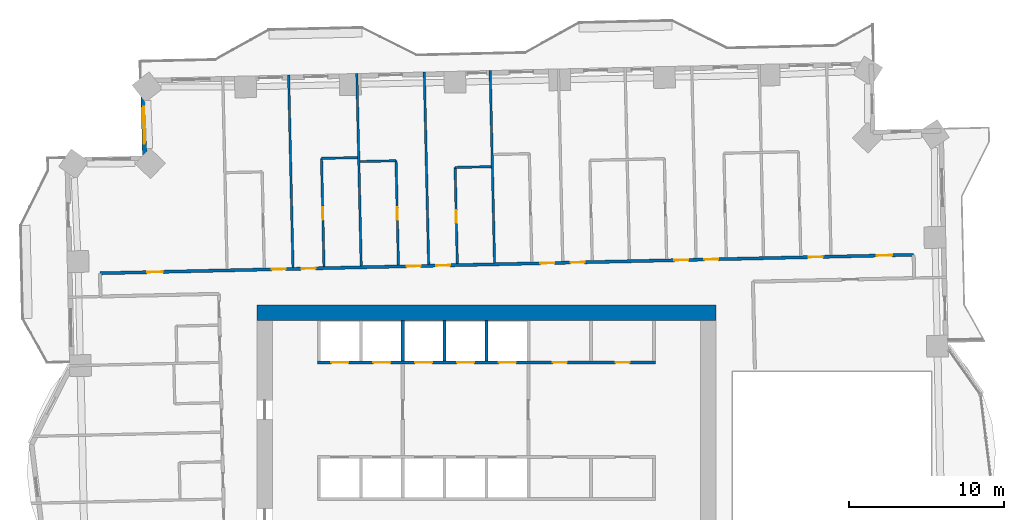
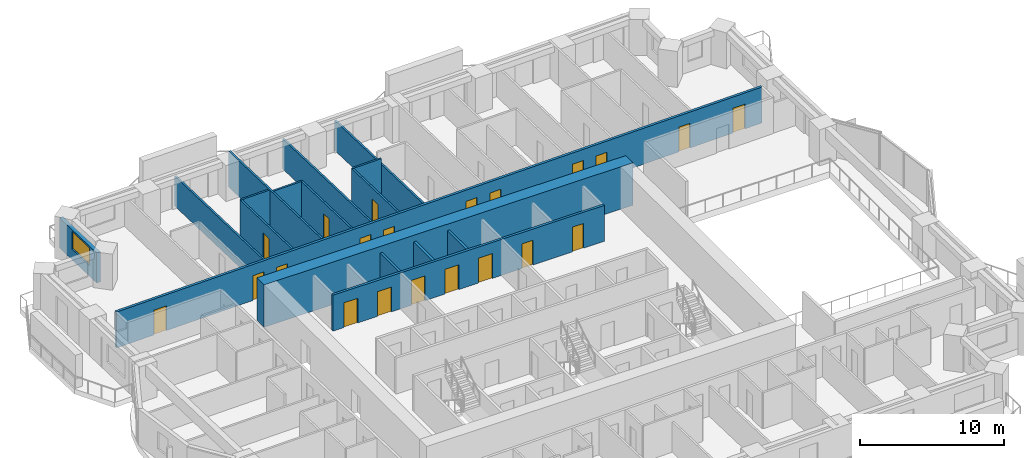
# One storey, part 11 of 17: 21 doors, 17 walls, 1 window, 22 openings.
"""IFC4 building model written with IfcOpenShell, lengths in metres."""

from ifc_helpers import new_model, si_unit, direction, frame, frame_2d, origin, place, context, subcontext, project, spatial, rectangle, extrude, material, layer, layer_set, type_object, element, fill, save


model = new_model("IFC4")

# Units and contexts
model_context = context("Model", 3, precision=1e-05, world=origin(), true_north=direction((0.0, 1.0)))
body_context = subcontext(model_context, "Body", "Model", "MODEL_VIEW")
ifc_project = project(units=[si_unit("LENGTHUNIT", "METRE"), si_unit("AREAUNIT", "SQUARE_METRE"), si_unit("VOLUMEUNIT", "CUBIC_METRE"), si_unit("PLANEANGLEUNIT", "RADIAN"), si_unit("MASSUNIT", "GRAM", prefix="KILO")], contexts=[model_context])

# Site, building, storey
site_placement = place(None, origin())
site = spatial("IfcSite", under=ifc_project, at=site_placement, CompositionType="ELEMENT")
building_placement = place(site_placement, origin())
building = spatial("IfcBuilding", under=site, at=building_placement, Name="Mangrove Gate Tower", CompositionType="ELEMENT")
storey_placement = place(building_placement, frame((0.0, 0.0, 90.10009765625)))
storey = spatial("IfcBuildingStorey", under=building, at=storey_placement, Name="L22", CompositionType="ELEMENT", Elevation=90.10009765625)

# Wall, openings, doors
ifc_material_1 = material(Name="Concrete C70/85", Category="concrete")
ifc_layer_1 = layer(ifc_material_1, 0.199951171875)
ifc_layer_set_1 = layer_set([ifc_layer_1], Name="Core shaft wall 200 C70/85")
wall_type_1 = type_object("IfcWallType", Name="Core shaft wall 200 C70/85", PredefinedType="SHEAR", material=ifc_layer_set_1)
wall_1_placement = place(storey_placement, frame((-10.89990234375, 8.10009765625, 0.0), z_axis=(0.0, 0.0, 1.0), x_axis=(1.0, 0.0, 0.0)))
wall_1 = element("IfcWall", 1, at=wall_1_placement, inside=storey, type_object=wall_type_1, Name="WALL-L22-CORE-8", PredefinedType="SHEAR", context=body_context, shape_type="SweptSolid", body=[
    extrude(rectangle(XDim=21.7998046875, YDim=0.199951171875, at=frame_2d((10.89990234375, 0.0))), origin(), (0.0, 0.0, 1.0), 3.0498046875),
])
opening_1_placement = place(wall_1_placement, frame((0.89990234375, 0.0, 0.0)))
opening_1 = element("IfcOpeningElement", 2, at=opening_1_placement, cuts=wall_1, Name="Opening LD", PredefinedType="OPENING", context=body_context, shape_type="SweptSolid", body=[
    extrude(rectangle(XDim=1.10009765625, YDim=2.10009765625, at=frame_2d((0.550048828125, 1.050048828125))), frame((0.0, 0.10986328125, 0.0), z_axis=(0.0, -1.0, 0.0), x_axis=(1.0, 0.0, 0.0)), (0.0, 0.0, 1.0), 0.219970703125),
])
opening_2_placement = place(wall_1_placement, frame((3.60009765625, 0.0, 0.0)))
opening_2 = element("IfcOpeningElement", 3, at=opening_2_placement, cuts=wall_1, Name="Opening LD", PredefinedType="OPENING", context=body_context, shape_type="SweptSolid", body=[
    extrude(rectangle(XDim=1.10009765625, YDim=2.10009765625, at=frame_2d((0.550048828125, 1.050048828125))), frame((0.0, 0.10986328125, 0.0), z_axis=(0.0, -1.0, 0.0), x_axis=(1.0, 0.0, 0.0)), (0.0, 0.0, 1.0), 0.219970703125),
])
opening_3_placement = place(wall_1_placement, frame((6.300048828125, 0.0, 0.0)))
opening_3 = element("IfcOpeningElement", 4, at=opening_3_placement, cuts=wall_1, Name="Opening LD", PredefinedType="OPENING", context=body_context, shape_type="SweptSolid", body=[
    extrude(rectangle(XDim=1.10009765625, YDim=2.10009765625, at=frame_2d((0.550048828125, 1.050048828125))), frame((0.0, 0.10986328125, 0.0), z_axis=(0.0, -1.0, 0.0), x_axis=(1.0, 0.0, 0.0)), (0.0, 0.0, 1.0), 0.219970703125),
])
opening_4_placement = place(wall_1_placement, frame((9.0, 0.0, 0.0)))
opening_4 = element("IfcOpeningElement", 5, at=opening_4_placement, cuts=wall_1, Name="Opening LD", PredefinedType="OPENING", context=body_context, shape_type="SweptSolid", body=[
    extrude(rectangle(XDim=1.10009765625, YDim=2.10009765625, at=frame_2d((0.550048828125, 1.050048828125))), frame((0.0, 0.10986328125, 0.0), z_axis=(0.0, -1.0, 0.0), x_axis=(1.0, 0.0, 0.0)), (0.0, 0.0, 1.0), 0.219970703125),
])
opening_5_placement = place(wall_1_placement, frame((11.699951171875, 0.0, 0.0)))
opening_5 = element("IfcOpeningElement", 6, at=opening_5_placement, cuts=wall_1, Name="Opening LD", PredefinedType="OPENING", context=body_context, shape_type="SweptSolid", body=[
    extrude(rectangle(XDim=1.10009765625, YDim=2.10009765625, at=frame_2d((0.550048828125, 1.050048828125))), frame((0.0, 0.10986328125, 0.0), z_axis=(0.0, -1.0, 0.0), x_axis=(1.0, 0.0, 0.0)), (0.0, 0.0, 1.0), 0.219970703125),
])
opening_6_placement = place(wall_1_placement, frame((15.175048828125, 0.0, 0.0)))
opening_6 = element("IfcOpeningElement", 7, at=opening_6_placement, cuts=wall_1, Name="Opening KD", PredefinedType="OPENING", context=body_context, shape_type="SweptSolid", body=[
    extrude(rectangle(XDim=0.89990234375, YDim=2.10009765625, at=frame_2d((0.449951171875, 1.050048828125))), frame((0.0, 0.10986328125, 0.0), z_axis=(0.0, -1.0, 0.0), x_axis=(1.0, 0.0, 0.0)), (0.0, 0.0, 1.0), 0.219970703125),
])
opening_7_placement = place(wall_1_placement, frame((19.22509765625, 0.0, 0.0)))
opening_7 = element("IfcOpeningElement", 8, at=opening_7_placement, cuts=wall_1, Name="Opening KD", PredefinedType="OPENING", context=body_context, shape_type="SweptSolid", body=[
    extrude(rectangle(XDim=0.89990234375, YDim=2.10009765625, at=frame_2d((0.449951171875, 1.050048828125))), frame((0.0, 0.10986328125, 0.0), z_axis=(0.0, -1.0, 0.0), x_axis=(1.0, 0.0, 0.0)), (0.0, 0.0, 1.0), 0.219970703125),
])
ifc_material_2 = material(Name="Fire-rated steel door set", Category="steel")
door_type_1 = type_object("IfcDoorType", Name="Core room door FD30S 900x2100", OperationType="SINGLE_SWING_RIGHT", PredefinedType="DOOR", material=ifc_material_2)
door_1_placement = place(opening_6_placement, origin())
door_1 = element("IfcDoor", 9, at=door_1_placement, inside=storey, type_object=door_type_1, Name="Core room door Core WC", OperationType="SINGLE_SWING_RIGHT", OverallHeight=2.10009765625, OverallWidth=0.89990234375, PredefinedType="DOOR", context=body_context, shape_type="SweptSolid", body=[
    extrude(rectangle(XDim=0.89990234375, YDim=2.10009765625, at=frame_2d((0.449951171875, 1.050048828125))), frame((0.0, 0.02490234375, 0.0), z_axis=(0.0, -1.0, 0.0), x_axis=(1.0, 0.0, 0.0)), (0.0, 0.0, 1.0), 0.050048828125),
])
fill(opening_6, door_1)
door_2_placement = place(opening_7_placement, origin())
door_2 = element("IfcDoor", 10, at=door_2_placement, inside=storey, type_object=door_type_1, Name="Core room door Pantry store", OperationType="SINGLE_SWING_RIGHT", OverallHeight=2.10009765625, OverallWidth=0.89990234375, PredefinedType="DOOR", context=body_context, shape_type="SweptSolid", body=[
    extrude(rectangle(XDim=0.89990234375, YDim=2.10009765625, at=frame_2d((0.449951171875, 1.050048828125))), frame((0.0, 0.02490234375, 0.0), z_axis=(0.0, -1.0, 0.0), x_axis=(1.0, 0.0, 0.0)), (0.0, 0.0, 1.0), 0.050048828125),
])
fill(opening_7, door_2)
ifc_material_3 = material(Name="Stainless steel 316", Category="steel")
door_type_2 = type_object("IfcDoorType", Name="Lift landing door 1100x2100", OperationType="SLIDING_TO_LEFT", PredefinedType="DOOR", material=ifc_material_3)
door_3_placement = place(opening_1_placement, origin())
door_3 = element("IfcDoor", 11, at=door_3_placement, inside=storey, type_object=door_type_2, Name="Landing door LD P06", OperationType="SLIDING_TO_LEFT", OverallHeight=2.10009765625, OverallWidth=1.10009765625, PredefinedType="DOOR", context=body_context, shape_type="SweptSolid", body=[
    extrude(rectangle(XDim=1.10009765625, YDim=2.10009765625, at=frame_2d((0.550048828125, 1.050048828125))), frame((0.0, 0.02490234375, 0.0), z_axis=(0.0, -1.0, 0.0), x_axis=(1.0, 0.0, 0.0)), (0.0, 0.0, 1.0), 0.050048828125),
])
fill(opening_1, door_3)
door_4_placement = place(opening_2_placement, origin())
door_4 = element("IfcDoor", 12, at=door_4_placement, inside=storey, type_object=door_type_2, Name="Landing door LD P07", OperationType="SLIDING_TO_LEFT", OverallHeight=2.10009765625, OverallWidth=1.10009765625, PredefinedType="DOOR", context=body_context, shape_type="SweptSolid", body=[
    extrude(rectangle(XDim=1.10009765625, YDim=2.10009765625, at=frame_2d((0.550048828125, 1.050048828125))), frame((0.0, 0.02490234375, 0.0), z_axis=(0.0, -1.0, 0.0), x_axis=(1.0, 0.0, 0.0)), (0.0, 0.0, 1.0), 0.050048828125),
])
fill(opening_2, door_4)
door_5_placement = place(opening_3_placement, origin())
door_5 = element("IfcDoor", 13, at=door_5_placement, inside=storey, type_object=door_type_2, Name="Landing door LD P08", OperationType="SLIDING_TO_LEFT", OverallHeight=2.10009765625, OverallWidth=1.10009765625, PredefinedType="DOOR", context=body_context, shape_type="SweptSolid", body=[
    extrude(rectangle(XDim=1.10009765625, YDim=2.10009765625, at=frame_2d((0.550048828125, 1.050048828125))), frame((0.0, 0.02490234375, 0.0), z_axis=(0.0, -1.0, 0.0), x_axis=(1.0, 0.0, 0.0)), (0.0, 0.0, 1.0), 0.050048828125),
])
fill(opening_3, door_5)
door_6_placement = place(opening_4_placement, origin())
door_6 = element("IfcDoor", 14, at=door_6_placement, inside=storey, type_object=door_type_2, Name="Landing door LD P09", OperationType="SLIDING_TO_LEFT", OverallHeight=2.10009765625, OverallWidth=1.10009765625, PredefinedType="DOOR", context=body_context, shape_type="SweptSolid", body=[
    extrude(rectangle(XDim=1.10009765625, YDim=2.10009765625, at=frame_2d((0.550048828125, 1.050048828125))), frame((0.0, 0.02490234375, 0.0), z_axis=(0.0, -1.0, 0.0), x_axis=(1.0, 0.0, 0.0)), (0.0, 0.0, 1.0), 0.050048828125),
])
fill(opening_4, door_6)
door_7_placement = place(opening_5_placement, origin())
door_7 = element("IfcDoor", 15, at=door_7_placement, inside=storey, type_object=door_type_2, Name="Landing door LD P10", OperationType="SLIDING_TO_LEFT", OverallHeight=2.10009765625, OverallWidth=1.10009765625, PredefinedType="DOOR", context=body_context, shape_type="SweptSolid", body=[
    extrude(rectangle(XDim=1.10009765625, YDim=2.10009765625, at=frame_2d((0.550048828125, 1.050048828125))), frame((0.0, 0.02490234375, 0.0), z_axis=(0.0, -1.0, 0.0), x_axis=(1.0, 0.0, 0.0)), (0.0, 0.0, 1.0), 0.050048828125),
])
fill(opening_5, door_7)

# Walls
for number, where, z_axis, x_axis, name in (
    (16, (-5.39990234375, 8.199951171875, 0.0), (0.0, 0.0, 1.0), (0.0, 1.0, 0.0), "WALL-L22-CORE-29"),
    (17, (-2.699951171875, 8.199951171875, 0.0), (0.0, 0.0, 1.0), (0.0, 1.0, 0.0), "WALL-L22-CORE-30"),
    (18, (0.0, 8.199951171875, 0.0), (0.0, 0.0, 1.0), (0.0, 1.0, 0.0), "WALL-L22-CORE-31"),
):
    element("IfcWall", number, at=place(storey_placement, frame(where, z_axis=z_axis, x_axis=x_axis)), inside=storey, type_object=wall_type_1, Name=name, PredefinedType="SHEAR", context=body_context, shape_type="SweptSolid", body=[
        extrude(rectangle(XDim=2.60009765625, YDim=0.199951171875, at=frame_2d((1.300048828125, 0.0))), origin(), (0.0, 0.0, 1.0), 3.0498046875),
    ])
ifc_material_4 = material(Name="Concrete C70/85", Category="concrete")
ifc_layer_2 = layer(ifc_material_4, 1.0)
ifc_layer_set_2 = layer_set([ifc_layer_2], Name="Core wall 1000 C70/85")
wall_type_2 = type_object("IfcWallType", Name="Core wall 1000 C70/85", PredefinedType="SHEAR", material=ifc_layer_set_2)
wall_2_placement = place(storey_placement, frame((-14.800048828125, 11.300048828125, 0.0), z_axis=(0.0, 0.0, 1.0), x_axis=(1.0, 0.0, 0.0)))
element("IfcWall", 19, at=wall_2_placement, inside=storey, type_object=wall_type_2, Name="WALL-L22-CORE-2", PredefinedType="SHEAR", context=body_context, shape_type="SweptSolid", body=[
    extrude(rectangle(XDim=29.60009765625, YDim=1.0, at=frame_2d((14.800048828125, 0.0))), origin(), (0.0, 0.0, 1.0), 3.599853515625),
])

# Wall, openings, doors
ifc_material_5 = material(Name="Gypsum board on steel stud, EI 60", Category="steel")
ifc_layer_3 = layer(ifc_material_5, 0.199951171875)
ifc_layer_set_3 = layer_set([ifc_layer_3], Name="Corridor wall EI 60")
wall_type_3 = type_object("IfcWallType", Name="Corridor wall EI 60", PredefinedType="PARTITIONING", material=ifc_layer_set_3)
wall_3_placement = place(storey_placement, frame((-24.919921875, 13.85107421875, 0.0), z_axis=(0.0, 0.0, 1.0), x_axis=(0.999742411711, 0.022696039895, 0.0)))
wall_3 = element("IfcWall", 20, at=wall_3_placement, inside=storey, type_object=wall_type_3, Name="WALL-L22-059", PredefinedType="PARTITIONING", context=body_context, shape_type="SweptSolid", body=[
    extrude(rectangle(XDim=52.472412109375, YDim=0.199951171875, at=frame_2d((26.236328125, 0.0))), origin(), (0.0, 0.0, 1.0), 3.0498046875),
])
opening_8_placement = place(wall_3_placement, frame((50.087890625, 0.0, 0.0)))
opening_8 = element("IfcOpeningElement", 21, at=opening_8_placement, cuts=wall_3, Name="Opening AD", PredefinedType="OPENING", context=body_context, shape_type="SweptSolid", body=[
    extrude(rectangle(XDim=1.0, YDim=2.10009765625, at=frame_2d((0.5, 1.050048828125))), frame((0.0, 0.10986328125, 0.0), z_axis=(0.0, -1.0, 0.0), x_axis=(1.0, 0.0, 0.0)), (0.0, 0.0, 1.0), 0.219970703125),
])
opening_9_placement = place(wall_3_placement, frame((45.72509765625, 0.0, 0.0)))
opening_9 = element("IfcOpeningElement", 22, at=opening_9_placement, cuts=wall_3, Name="Opening BD", PredefinedType="OPENING", context=body_context, shape_type="SweptSolid", body=[
    extrude(rectangle(XDim=0.89990234375, YDim=2.10009765625, at=frame_2d((0.449951171875, 1.050048828125))), frame((0.0, 0.10986328125, 0.0), z_axis=(0.0, -1.0, 0.0), x_axis=(1.0, 0.0, 0.0)), (0.0, 0.0, 1.0), 0.219970703125),
])
opening_10_placement = place(wall_3_placement, frame((38.97509765625, 0.0, 0.0)))
opening_10 = element("IfcOpeningElement", 23, at=opening_10_placement, cuts=wall_3, Name="Opening BD", PredefinedType="OPENING", context=body_context, shape_type="SweptSolid", body=[
    extrude(rectangle(XDim=0.89990234375, YDim=2.10009765625, at=frame_2d((0.449951171875, 1.050048828125))), frame((0.0, 0.10986328125, 0.0), z_axis=(0.0, -1.0, 0.0), x_axis=(1.0, 0.0, 0.0)), (0.0, 0.0, 1.0), 0.219970703125),
])
opening_11_placement = place(wall_3_placement, frame((37.050048828125, 0.0, 0.0)))
opening_11 = element("IfcOpeningElement", 24, at=opening_11_placement, cuts=wall_3, Name="Opening BD", PredefinedType="OPENING", context=body_context, shape_type="SweptSolid", body=[
    extrude(rectangle(XDim=0.89990234375, YDim=2.10009765625, at=frame_2d((0.449951171875, 1.050048828125))), frame((0.0, 0.10986328125, 0.0), z_axis=(0.0, -1.0, 0.0), x_axis=(1.0, 0.0, 0.0)), (0.0, 0.0, 1.0), 0.219970703125),
])
opening_12_placement = place(wall_3_placement, frame((30.35009765625, 0.0, 0.0)))
opening_12 = element("IfcOpeningElement", 25, at=opening_12_placement, cuts=wall_3, Name="Opening BD", PredefinedType="OPENING", context=body_context, shape_type="SweptSolid", body=[
    extrude(rectangle(XDim=0.89990234375, YDim=2.10009765625, at=frame_2d((0.449951171875, 1.050048828125))), frame((0.0, 0.10986328125, 0.0), z_axis=(0.0, -1.0, 0.0), x_axis=(1.0, 0.0, 0.0)), (0.0, 0.0, 1.0), 0.219970703125),
])
opening_13_placement = place(wall_3_placement, frame((28.39990234375, 0.0, 0.0)))
opening_13 = element("IfcOpeningElement", 26, at=opening_13_placement, cuts=wall_3, Name="Opening BD", PredefinedType="OPENING", context=body_context, shape_type="SweptSolid", body=[
    extrude(rectangle(XDim=0.89990234375, YDim=2.10009765625, at=frame_2d((0.449951171875, 1.050048828125))), frame((0.0, 0.10986328125, 0.0), z_axis=(0.0, -1.0, 0.0), x_axis=(1.0, 0.0, 0.0)), (0.0, 0.0, 1.0), 0.219970703125),
])
opening_14_placement = place(wall_3_placement, frame((21.675048828125, 0.0, 0.0)))
opening_14 = element("IfcOpeningElement", 27, at=opening_14_placement, cuts=wall_3, Name="Opening BD", PredefinedType="OPENING", context=body_context, shape_type="SweptSolid", body=[
    extrude(rectangle(XDim=0.89990234375, YDim=2.10009765625, at=frame_2d((0.449951171875, 1.050048828125))), frame((0.0, 0.10986328125, 0.0), z_axis=(0.0, -1.0, 0.0), x_axis=(1.0, 0.0, 0.0)), (0.0, 0.0, 1.0), 0.219970703125),
])
opening_15_placement = place(wall_3_placement, frame((19.77490234375, 0.0, 0.0)))
opening_15 = element("IfcOpeningElement", 28, at=opening_15_placement, cuts=wall_3, Name="Opening BD", PredefinedType="OPENING", context=body_context, shape_type="SweptSolid", body=[
    extrude(rectangle(XDim=0.89990234375, YDim=2.10009765625, at=frame_2d((0.449951171875, 1.050048828125))), frame((0.0, 0.10986328125, 0.0), z_axis=(0.0, -1.0, 0.0), x_axis=(1.0, 0.0, 0.0)), (0.0, 0.0, 1.0), 0.219970703125),
])
opening_16_placement = place(wall_3_placement, frame((13.0, 0.0, 0.0)))
opening_16 = element("IfcOpeningElement", 29, at=opening_16_placement, cuts=wall_3, Name="Opening BD", PredefinedType="OPENING", context=body_context, shape_type="SweptSolid", body=[
    extrude(rectangle(XDim=0.89990234375, YDim=2.10009765625, at=frame_2d((0.449951171875, 1.050048828125))), frame((0.0, 0.10986328125, 0.0), z_axis=(0.0, -1.0, 0.0), x_axis=(1.0, 0.0, 0.0)), (0.0, 0.0, 1.0), 0.219970703125),
])
opening_17_placement = place(wall_3_placement, frame((11.074951171875, 0.0, 0.0)))
opening_17 = element("IfcOpeningElement", 30, at=opening_17_placement, cuts=wall_3, Name="Opening BD", PredefinedType="OPENING", context=body_context, shape_type="SweptSolid", body=[
    extrude(rectangle(XDim=0.89990234375, YDim=2.10009765625, at=frame_2d((0.449951171875, 1.050048828125))), frame((0.0, 0.10986328125, 0.0), z_axis=(0.0, -1.0, 0.0), x_axis=(1.0, 0.0, 0.0)), (0.0, 0.0, 1.0), 0.219970703125),
])
opening_18_placement = place(wall_3_placement, frame((3.049072265625, 0.0, 0.0)))
opening_18 = element("IfcOpeningElement", 31, at=opening_18_placement, cuts=wall_3, Name="Opening AD", PredefinedType="OPENING", context=body_context, shape_type="SweptSolid", body=[
    extrude(rectangle(XDim=1.0, YDim=2.10009765625, at=frame_2d((0.5, 1.050048828125))), frame((0.0, 0.10986328125, 0.0), z_axis=(0.0, -1.0, 0.0), x_axis=(1.0, 0.0, 0.0)), (0.0, 0.0, 1.0), 0.219970703125),
])
ifc_material_6 = material(Name="Timber door leaf", Category="wood")
door_type_3 = type_object("IfcDoorType", Name="Amenity door 1000", OperationType="SINGLE_SWING_LEFT", PredefinedType="DOOR", material=ifc_material_6)
door_8_placement = place(opening_8_placement, origin())
door_8 = element("IfcDoor", 32, at=door_8_placement, inside=storey, type_object=door_type_3, Name="DOOR-L22-STU-c3b", OperationType="SINGLE_SWING_LEFT", OverallHeight=2.10009765625, OverallWidth=1.0, PredefinedType="DOOR", context=body_context, shape_type="SweptSolid", body=[
    extrude(rectangle(XDim=1.0, YDim=2.10009765625, at=frame_2d((0.5, 1.050048828125))), frame((0.0, 0.02490234375, 0.0), z_axis=(0.0, -1.0, 0.0), x_axis=(1.0, 0.0, 0.0)), (0.0, 0.0, 1.0), 0.050048828125),
])
fill(opening_8, door_8)
door_9_placement = place(opening_18_placement, origin())
door_9 = element("IfcDoor", 33, at=door_9_placement, inside=storey, type_object=door_type_3, Name="DOOR-L22-LNG-c5a", OperationType="SINGLE_SWING_RIGHT", OverallHeight=2.10009765625, OverallWidth=1.0, PredefinedType="DOOR", context=body_context, shape_type="SweptSolid", body=[
    extrude(rectangle(XDim=1.0, YDim=2.10009765625, at=frame_2d((0.5, 1.050048828125))), frame((0.0, 0.02490234375, 0.0), z_axis=(0.0, -1.0, 0.0), x_axis=(1.0, 0.0, 0.0)), (0.0, 0.0, 1.0), 0.050048828125),
])
fill(opening_18, door_9)
ifc_material_7 = material(Name="Timber door leaf", Category="wood")
door_type_4 = type_object("IfcDoorType", Name="Bedroom door 900", OperationType="SINGLE_SWING_LEFT", PredefinedType="DOOR", material=ifc_material_7)
door_10_placement = place(opening_9_placement, origin())
door_10 = element("IfcDoor", 34, at=door_10_placement, inside=storey, type_object=door_type_4, Name="DOOR-L22-BED-c309", OperationType="SINGLE_SWING_LEFT", OverallHeight=2.10009765625, OverallWidth=0.89990234375, PredefinedType="DOOR", context=body_context, shape_type="SweptSolid", body=[
    extrude(rectangle(XDim=0.89990234375, YDim=2.10009765625, at=frame_2d((0.449951171875, 1.050048828125))), frame((0.0, 0.02490234375, 0.0), z_axis=(0.0, -1.0, 0.0), x_axis=(1.0, 0.0, 0.0)), (0.0, 0.0, 1.0), 0.050048828125),
])
fill(opening_9, door_10)
door_11_placement = place(opening_10_placement, origin())
door_11 = element("IfcDoor", 35, at=door_11_placement, inside=storey, type_object=door_type_4, Name="DOOR-L22-BED-c310", OperationType="SINGLE_SWING_RIGHT", OverallHeight=2.10009765625, OverallWidth=0.89990234375, PredefinedType="DOOR", context=body_context, shape_type="SweptSolid", body=[
    extrude(rectangle(XDim=0.89990234375, YDim=2.10009765625, at=frame_2d((0.449951171875, 1.050048828125))), frame((0.0, 0.02490234375, 0.0), z_axis=(0.0, -1.0, 0.0), x_axis=(1.0, 0.0, 0.0)), (0.0, 0.0, 1.0), 0.050048828125),
])
fill(opening_10, door_11)
door_12_placement = place(opening_11_placement, origin())
door_12 = element("IfcDoor", 36, at=door_12_placement, inside=storey, type_object=door_type_4, Name="DOOR-L22-BED-c311", OperationType="SINGLE_SWING_LEFT", OverallHeight=2.10009765625, OverallWidth=0.89990234375, PredefinedType="DOOR", context=body_context, shape_type="SweptSolid", body=[
    extrude(rectangle(XDim=0.89990234375, YDim=2.10009765625, at=frame_2d((0.449951171875, 1.050048828125))), frame((0.0, 0.02490234375, 0.0), z_axis=(0.0, -1.0, 0.0), x_axis=(1.0, 0.0, 0.0)), (0.0, 0.0, 1.0), 0.050048828125),
])
fill(opening_11, door_12)
door_13_placement = place(opening_12_placement, origin())
door_13 = element("IfcDoor", 37, at=door_13_placement, inside=storey, type_object=door_type_4, Name="DOOR-L22-BED-c412", OperationType="SINGLE_SWING_RIGHT", OverallHeight=2.10009765625, OverallWidth=0.89990234375, PredefinedType="DOOR", context=body_context, shape_type="SweptSolid", body=[
    extrude(rectangle(XDim=0.89990234375, YDim=2.10009765625, at=frame_2d((0.449951171875, 1.050048828125))), frame((0.0, 0.02490234375, 0.0), z_axis=(0.0, -1.0, 0.0), x_axis=(1.0, 0.0, 0.0)), (0.0, 0.0, 1.0), 0.050048828125),
])
fill(opening_12, door_13)
door_14_placement = place(opening_13_placement, origin())
door_14 = element("IfcDoor", 38, at=door_14_placement, inside=storey, type_object=door_type_4, Name="DOOR-L22-BED-c413", OperationType="SINGLE_SWING_LEFT", OverallHeight=2.10009765625, OverallWidth=0.89990234375, PredefinedType="DOOR", context=body_context, shape_type="SweptSolid", body=[
    extrude(rectangle(XDim=0.89990234375, YDim=2.10009765625, at=frame_2d((0.449951171875, 1.050048828125))), frame((0.0, 0.02490234375, 0.0), z_axis=(0.0, -1.0, 0.0), x_axis=(1.0, 0.0, 0.0)), (0.0, 0.0, 1.0), 0.050048828125),
])
fill(opening_13, door_14)
door_15_placement = place(opening_14_placement, origin())
door_15 = element("IfcDoor", 39, at=door_15_placement, inside=storey, type_object=door_type_4, Name="DOOR-L22-BED-c414", OperationType="SINGLE_SWING_RIGHT", OverallHeight=2.10009765625, OverallWidth=0.89990234375, PredefinedType="DOOR", context=body_context, shape_type="SweptSolid", body=[
    extrude(rectangle(XDim=0.89990234375, YDim=2.10009765625, at=frame_2d((0.449951171875, 1.050048828125))), frame((0.0, 0.02490234375, 0.0), z_axis=(0.0, -1.0, 0.0), x_axis=(1.0, 0.0, 0.0)), (0.0, 0.0, 1.0), 0.050048828125),
])
fill(opening_14, door_15)
door_16_placement = place(opening_15_placement, origin())
door_16 = element("IfcDoor", 40, at=door_16_placement, inside=storey, type_object=door_type_4, Name="DOOR-L22-BED-c515", OperationType="SINGLE_SWING_LEFT", OverallHeight=2.10009765625, OverallWidth=0.89990234375, PredefinedType="DOOR", context=body_context, shape_type="SweptSolid", body=[
    extrude(rectangle(XDim=0.89990234375, YDim=2.10009765625, at=frame_2d((0.449951171875, 1.050048828125))), frame((0.0, 0.02490234375, 0.0), z_axis=(0.0, -1.0, 0.0), x_axis=(1.0, 0.0, 0.0)), (0.0, 0.0, 1.0), 0.050048828125),
])
fill(opening_15, door_16)
door_17_placement = place(opening_16_placement, origin())
door_17 = element("IfcDoor", 41, at=door_17_placement, inside=storey, type_object=door_type_4, Name="DOOR-L22-BED-c516", OperationType="SINGLE_SWING_RIGHT", OverallHeight=2.10009765625, OverallWidth=0.89990234375, PredefinedType="DOOR", context=body_context, shape_type="SweptSolid", body=[
    extrude(rectangle(XDim=0.89990234375, YDim=2.10009765625, at=frame_2d((0.449951171875, 1.050048828125))), frame((0.0, 0.02490234375, 0.0), z_axis=(0.0, -1.0, 0.0), x_axis=(1.0, 0.0, 0.0)), (0.0, 0.0, 1.0), 0.050048828125),
])
fill(opening_16, door_17)
door_18_placement = place(opening_17_placement, origin())
door_18 = element("IfcDoor", 42, at=door_18_placement, inside=storey, type_object=door_type_4, Name="DOOR-L22-BED-c517", OperationType="SINGLE_SWING_LEFT", OverallHeight=2.10009765625, OverallWidth=0.89990234375, PredefinedType="DOOR", context=body_context, shape_type="SweptSolid", body=[
    extrude(rectangle(XDim=0.89990234375, YDim=2.10009765625, at=frame_2d((0.449951171875, 1.050048828125))), frame((0.0, 0.02490234375, 0.0), z_axis=(0.0, -1.0, 0.0), x_axis=(1.0, 0.0, 0.0)), (0.0, 0.0, 1.0), 0.050048828125),
])
fill(opening_17, door_18)

# Wall, opening, window
ifc_material_8 = material(Name="Limestone", Category="masonry")
ifc_layer_4 = layer(ifc_material_8, 0.0400390625, Name="Limestone cladding")
ifc_material_9 = material(Name="Ventilated air gap")
ifc_layer_5 = layer(ifc_material_9, 0.0400390625, Name="Ventilated cavity")
ifc_material_10 = material(Name="Mineral wool insulation")
ifc_layer_6 = layer(ifc_material_10, 0.06005859375, Name="Insulation")
ifc_material_11 = material(Name="Breather membrane")
ifc_layer_7 = layer(ifc_material_11, 0.001953125, Name="Breather membrane")
ifc_material_12 = material(Name="Concrete C20/25 blockwork", Category="masonry")
ifc_layer_8 = layer(ifc_material_12, 0.14990234375, Name="Blockwork backing wall")
ifc_material_13 = material(Name="Gypsum plaster")
ifc_layer_9 = layer(ifc_material_13, 0.008056640625, Name="Internal plaster")
ifc_layer_set_4 = layer_set([ifc_layer_4, ifc_layer_5, ifc_layer_6, ifc_layer_7, ifc_layer_8, ifc_layer_9], Name="External wall 300 limestone cladding")
wall_type_4 = type_object("IfcWallType", Name="External wall 300 limestone cladding", PredefinedType="SOLIDWALL", material=ifc_layer_set_4)
wall_4_placement = place(storey_placement, frame((-22.15087890625, 26.26708984375, 0.0), z_axis=(0.0, 0.0, 1.0), x_axis=(0.022756903044, -0.999741028149, 0.0)))
wall_4 = element("IfcWall", 43, at=wall_4_placement, inside=storey, type_object=wall_type_4, Name="WALL-L22-W6", PredefinedType="SOLIDWALL", context=body_context, shape_type="SweptSolid", body=[
    extrude(rectangle(XDim=4.999267578125, YDim=0.300048828125, at=frame_2d((2.49951171875, 0.0))), origin(), (0.0, 0.0, 1.0), 2.5498046875),
])
opening_19_placement = place(wall_4_placement, frame((1.674072265625, 0.0, 0.89990234375)))
opening_19 = element("IfcOpeningElement", 44, at=opening_19_placement, cuts=wall_4, Name="Opening W2", PredefinedType="OPENING", context=body_context, shape_type="SweptSolid", body=[
    extrude(rectangle(XDim=2.39990234375, YDim=1.5, at=frame_2d((1.199951171875, 0.75))), frame((0.0, 0.159912109375, 0.0), z_axis=(0.0, -1.0, 0.0), x_axis=(1.0, 0.0, 0.0)), (0.0, 0.0, 1.0), 0.320068359375),
])
ifc_material_14 = material(Name="Aluminium frame with double-glazed low-e glass", Category="aluminium")
window_type = type_object("IfcWindowType", Name="Corner room window 2400x1500", PartitioningType="DOUBLE_PANEL_VERTICAL", PredefinedType="WINDOW", material=ifc_material_14)
window_placement = place(opening_19_placement, origin())
window = element("IfcWindow", 45, at=window_placement, inside=storey, type_object=window_type, Name="WIN-L22-W6-1", OverallHeight=1.5, OverallWidth=2.39990234375, PartitioningType="DOUBLE_PANEL_VERTICAL", PredefinedType="WINDOW", context=body_context, shape_type="SweptSolid", body=[
    extrude(rectangle(XDim=2.39990234375, YDim=1.5, at=frame_2d((1.199951171875, 0.75))), frame((0.0, 0.030029296875, 0.0), z_axis=(0.0, -1.0, 0.0), x_axis=(1.0, 0.0, 0.0)), (0.0, 0.0, 1.0), 0.06005859375),
])
fill(opening_19, window)

# Wall
ifc_material_15 = material(Name="Gypsum board on steel stud, EI 60", Category="steel")
ifc_layer_10 = layer(ifc_material_15, 0.14990234375)
ifc_layer_set_5 = layer_set([ifc_layer_10], Name="Party wall 150 EI 60")
wall_type_5 = type_object("IfcWallType", Name="Party wall 150 EI 60", PredefinedType="PARTITIONING", material=ifc_layer_set_5)
wall_5_placement = place(storey_placement, frame((-12.47900390625, 14.23388671875, 0.0), z_axis=(0.0, 0.0, 1.0), x_axis=(-0.022661029756, 0.999743205894, 0.0)))
element("IfcWall", 46, at=wall_5_placement, inside=storey, type_object=wall_type_5, Name="WALL-L22-062", PredefinedType="PARTITIONING", context=body_context, shape_type="SweptSolid", body=[
    extrude(rectangle(XDim=12.400390625, YDim=0.14990234375, at=frame_2d((6.2001953125, 0.0))), origin(), (0.0, 0.0, 1.0), 2.5498046875),
])

# Wall, opening, door
wall_6_placement = place(storey_placement, frame((-10.47998046875, 14.279052734375, 0.0), z_axis=(0.0, 0.0, 1.0), x_axis=(-0.022630826984, 0.999743890039, 0.0)))
wall_6 = element("IfcWall", 47, at=wall_6_placement, inside=storey, type_object=wall_type_5, Name="WALL-L22-063", PredefinedType="PARTITIONING", context=body_context, shape_type="SweptSolid", body=[
    extrude(rectangle(XDim=6.979736328125, YDim=0.14990234375, at=frame_2d((3.48974609375, 0.0))), origin(), (0.0, 0.0, 1.0), 3.0498046875),
])
opening_20_placement = place(wall_6_placement, frame((3.0400390625, 0.0, 0.0)))
opening_20 = element("IfcOpeningElement", 48, at=opening_20_placement, cuts=wall_6, Name="Opening ED", PredefinedType="OPENING", context=body_context, shape_type="SweptSolid", body=[
    extrude(rectangle(XDim=0.800048828125, YDim=2.10009765625, at=frame_2d((0.39990234375, 1.050048828125))), frame((0.0, 0.0849609375, 0.0), z_axis=(0.0, -1.0, 0.0), x_axis=(1.0, 0.0, 0.0)), (0.0, 0.0, 1.0), 0.169921875),
])
ifc_material_16 = material(Name="Timber door leaf", Category="wood")
door_type_5 = type_object("IfcDoorType", Name="En-suite door 800", OperationType="SINGLE_SWING_LEFT", PredefinedType="DOOR", material=ifc_material_16)
door_19_placement = place(opening_20_placement, origin())
door_19 = element("IfcDoor", 49, at=door_19_placement, inside=storey, type_object=door_type_5, Name="DOOR-L22-ENS-c516", OperationType="SINGLE_SWING_RIGHT", OverallHeight=2.10009765625, OverallWidth=0.800048828125, PredefinedType="DOOR", context=body_context, shape_type="SweptSolid", body=[
    extrude(rectangle(XDim=0.800048828125, YDim=2.10009765625, at=frame_2d((0.39990234375, 1.050048828125))), frame((0.0, 0.02490234375, 0.0), z_axis=(0.0, -1.0, 0.0), x_axis=(1.0, 0.0, 0.0)), (0.0, 0.0, 1.0), 0.050048828125),
])
fill(opening_20, door_19)

# Wall
wall_7_placement = place(storey_placement, frame((-8.080078125, 14.333984375, 0.0), z_axis=(0.0, 0.0, 1.0), x_axis=(-0.022741979748, 0.999741367733, 0.0)))
element("IfcWall", 50, at=wall_7_placement, inside=storey, type_object=wall_type_5, Name="WALL-L22-064", PredefinedType="PARTITIONING", context=body_context, shape_type="SweptSolid", body=[
    extrude(rectangle(XDim=12.399169921875, YDim=0.14990234375, at=frame_2d((6.19970703125, 0.0))), origin(), (0.0, 0.0, 1.0), 3.0498046875),
])

# Wall, opening, door
wall_8_placement = place(storey_placement, frame((-5.680908203125, 14.387939453125, 0.0), z_axis=(0.0, 0.0, 1.0), x_axis=(-0.022634748998, 0.99974380125, 0.0)))
wall_8 = element("IfcWall", 51, at=wall_8_placement, inside=storey, type_object=wall_type_5, Name="WALL-L22-065", PredefinedType="PARTITIONING", context=body_context, shape_type="SweptSolid", body=[
    extrude(rectangle(XDim=6.7197265625, YDim=0.14990234375, at=frame_2d((3.35986328125, 0.0))), origin(), (0.0, 0.0, 1.0), 3.0498046875),
])
opening_21_placement = place(wall_8_placement, frame((2.909912109375, 0.0, 0.0)))
opening_21 = element("IfcOpeningElement", 52, at=opening_21_placement, cuts=wall_8, Name="Opening ED", PredefinedType="OPENING", context=body_context, shape_type="SweptSolid", body=[
    extrude(rectangle(XDim=0.800048828125, YDim=2.10009765625, at=frame_2d((0.39990234375, 1.050048828125))), frame((0.0, 0.0849609375, 0.0), z_axis=(0.0, -1.0, 0.0), x_axis=(1.0, 0.0, 0.0)), (0.0, 0.0, 1.0), 0.169921875),
])
door_20_placement = place(opening_21_placement, origin())
door_20 = element("IfcDoor", 53, at=door_20_placement, inside=storey, type_object=door_type_5, Name="DOOR-L22-ENS-c515", OperationType="SINGLE_SWING_LEFT", OverallHeight=2.10009765625, OverallWidth=0.800048828125, PredefinedType="DOOR", context=body_context, shape_type="SweptSolid", body=[
    extrude(rectangle(XDim=0.800048828125, YDim=2.10009765625, at=frame_2d((0.39990234375, 1.050048828125))), frame((0.0, 0.02490234375, 0.0), z_axis=(0.0, -1.0, 0.0), x_axis=(1.0, 0.0, 0.0)), (0.0, 0.0, 1.0), 0.050048828125),
])
fill(opening_21, door_20)

# Wall
wall_9_placement = place(storey_placement, frame((-3.73095703125, 14.431884765625, 0.0), z_axis=(0.0, 0.0, 1.0), x_axis=(-0.022739741597, 0.999741418644, 0.0)))
element("IfcWall", 54, at=wall_9_placement, inside=storey, type_object=wall_type_5, Name="WALL-L22-066", PredefinedType="PARTITIONING", context=body_context, shape_type="SweptSolid", body=[
    extrude(rectangle(XDim=12.400390625, YDim=0.14990234375, at=frame_2d((6.2001953125, 0.0))), origin(), (0.0, 0.0, 1.0), 2.5498046875),
])

# Wall, opening, door
wall_10_placement = place(storey_placement, frame((-1.882080078125, 14.47412109375, 0.0), z_axis=(0.0, 0.0, 1.0), x_axis=(-0.022718722157, 0.999741896523, 0.0)))
wall_10 = element("IfcWall", 55, at=wall_10_placement, inside=storey, type_object=wall_type_5, Name="WALL-L22-067", PredefinedType="PARTITIONING", context=body_context, shape_type="SweptSolid", body=[
    extrude(rectangle(XDim=6.20068359375, YDim=0.14990234375, at=frame_2d((3.100341796875, 0.0))), origin(), (0.0, 0.0, 1.0), 3.0498046875),
])
opening_22_placement = place(wall_10_placement, frame((2.64990234375, 0.0, 0.0)))
opening_22 = element("IfcOpeningElement", 56, at=opening_22_placement, cuts=wall_10, Name="Opening ED", PredefinedType="OPENING", context=body_context, shape_type="SweptSolid", body=[
    extrude(rectangle(XDim=0.800048828125, YDim=2.10009765625, at=frame_2d((0.39990234375, 1.050048828125))), frame((0.0, 0.0849609375, 0.0), z_axis=(0.0, -1.0, 0.0), x_axis=(1.0, 0.0, 0.0)), (0.0, 0.0, 1.0), 0.169921875),
])
door_21_placement = place(opening_22_placement, origin())
door_21 = element("IfcDoor", 57, at=door_21_placement, inside=storey, type_object=door_type_5, Name="DOOR-L22-ENS-c414", OperationType="SINGLE_SWING_RIGHT", OverallHeight=2.10009765625, OverallWidth=0.800048828125, PredefinedType="DOOR", context=body_context, shape_type="SweptSolid", body=[
    extrude(rectangle(XDim=0.800048828125, YDim=2.10009765625, at=frame_2d((0.39990234375, 1.050048828125))), frame((0.0, 0.02490234375, 0.0), z_axis=(0.0, -1.0, 0.0), x_axis=(1.0, 0.0, 0.0)), (0.0, 0.0, 1.0), 0.050048828125),
])
fill(opening_22, door_21)

# Walls
wall_11_placement = place(storey_placement, frame((0.51806640625, 14.529052734375, 0.0), z_axis=(0.0, 0.0, 1.0), x_axis=(-0.022740189192, 0.999741408463, 0.0)))
element("IfcWall", 58, at=wall_11_placement, inside=storey, type_object=wall_type_5, Name="WALL-L22-068", PredefinedType="PARTITIONING", context=body_context, shape_type="SweptSolid", body=[
    extrude(rectangle(XDim=12.400146484375, YDim=0.14990234375, at=frame_2d((6.2001953125, 0.0))), origin(), (0.0, 0.0, 1.0), 2.5498046875),
])
for number, where, z_axis, x_axis, name in (
    (59, (-2.01904296875, 20.673095703125, 0.0), (0.0, 0.0, 1.0), (0.999740478815, 0.022781023197, 0.0), "WALL-L22-080"),
    (60, (-8.154052734375, 21.053955078125, 0.0), (0.0, 0.0, 1.0), (0.999749954681, 0.022361308448, 0.0), "WALL-L22-082"),
):
    element("IfcWall", number, at=place(storey_placement, frame(where, z_axis=z_axis, x_axis=x_axis)), inside=storey, type_object=wall_type_5, Name=name, PredefinedType="PARTITIONING", context=body_context, shape_type="SweptSolid", body=[
        extrude(rectangle(XDim=2.325439453125, YDim=0.14990234375, at=frame_2d((1.16259765625, 0.0))), origin(), (0.0, 0.0, 1.0), 3.0498046875),
    ])
wall_12_placement = place(storey_placement, frame((-10.634033203125, 21.257080078125, 0.0), z_axis=(0.0, 0.0, 1.0), x_axis=(0.999740260747, 0.02279059109, 0.0)))
element("IfcWall", 61, at=wall_12_placement, inside=storey, type_object=wall_type_5, Name="WALL-L22-084", PredefinedType="PARTITIONING", context=body_context, shape_type="SweptSolid", body=[
    extrude(rectangle(XDim=2.324462890625, YDim=0.14990234375, at=frame_2d((1.162109375, 0.0))), origin(), (0.0, 0.0, 1.0), 3.0498046875),
])

save(model, "model.ifc")
